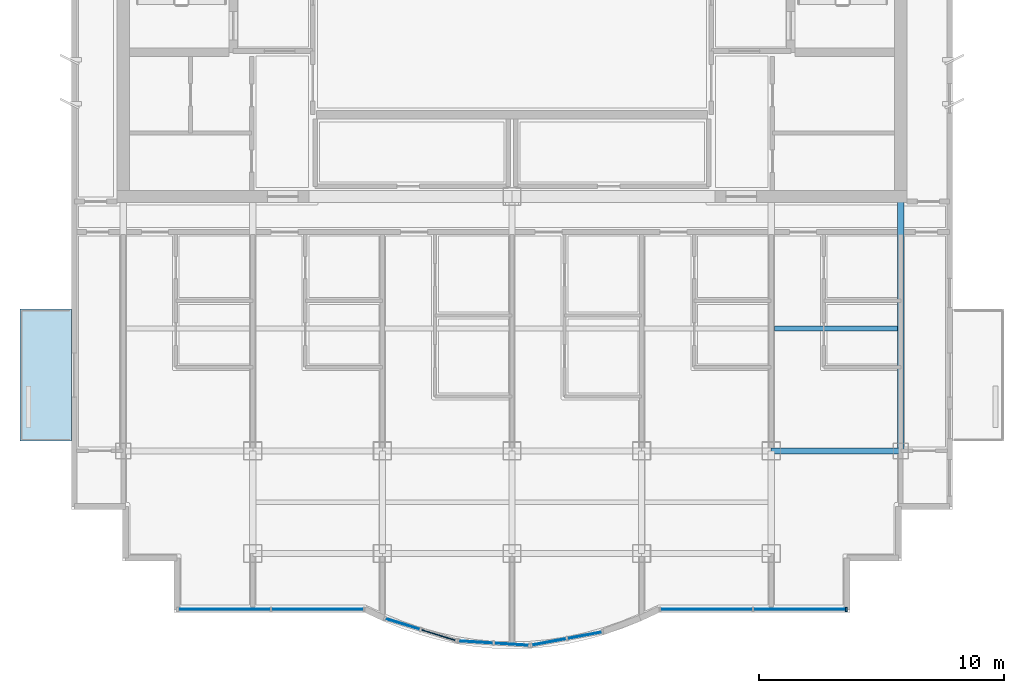
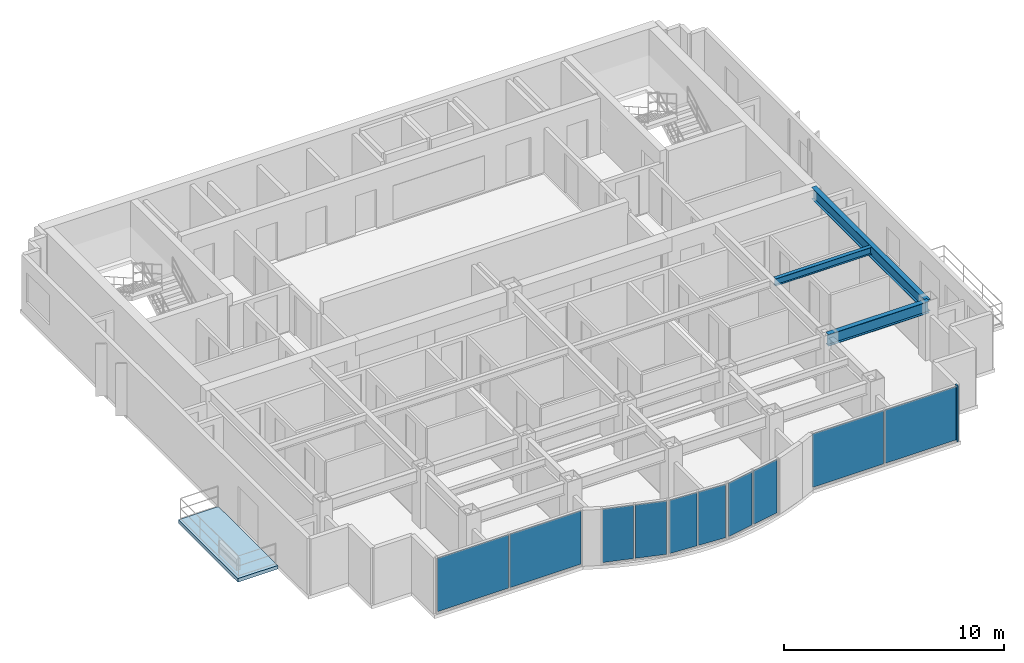
# One storey, part 2 of 9: 10 plates, 3 beams, 1 member, 1 slab, 5 elements without a shape of their own.
"""IFC4 building model written with IfcOpenShell, lengths in metres."""

from ifc_helpers import new_model, si_unit, direction, frame, origin, origin_2d, place, context, subcontext, project, spatial, polyline, rectangle, i_section, outline, extrude, source, transform, mapped, material, layer, layer_set, material_profile, profile_set, type_object, element, aggregate, save


model = new_model("IFC4")

# Units and contexts
model_context = context("Model", 3, precision=1e-05, world=origin(), true_north=direction((0.0, 1.0)))
body_context = subcontext(model_context, "Body", "Model", "MODEL_VIEW")
ifc_project = project(units=[si_unit("LENGTHUNIT", "METRE"), si_unit("AREAUNIT", "SQUARE_METRE"), si_unit("VOLUMEUNIT", "CUBIC_METRE"), si_unit("PLANEANGLEUNIT", "RADIAN"), si_unit("MASSUNIT", "GRAM", prefix="KILO")], contexts=[model_context])

# Site, building, storey
site_placement = place(None, origin())
site = spatial("IfcSite", under=ifc_project, at=site_placement, CompositionType="ELEMENT")
building_placement = place(site_placement, origin())
building = spatial("IfcBuilding", under=site, at=building_placement, Name="Qianlan Lanfeng Residences", CompositionType="ELEMENT")
storey_placement = place(building_placement, frame((0.0, 0.0, 233.0)))
storey = spatial("IfcBuildingStorey", under=building, at=storey_placement, Name="L64", CompositionType="ELEMENT", Elevation=233.0)

# Beams
ifc_material_1 = material(Name="Steel SN490B", Category="steel")
ifc_material_profile_1 = material_profile(ifc_material_1, i_section(OverallWidth=0.25, OverallDepth=0.64990234375, WebThickness=0.012939453125, FlangeThickness=0.02197265625, at=origin_2d()), Name="H 650x250x13x22")
ifc_profile_set_1 = profile_set([ifc_material_profile_1], Name="Steel SN490B")
beam_type_1 = type_object("IfcBeamType", Name="G-650", PredefinedType="BEAM", material=ifc_profile_set_1)
beam_1_placement = place(storey_placement, frame((37.10009765625, 14.800048828125, 2.784912109375), z_axis=(1.0, 0.0, 0.0), x_axis=(0.0, 1.0, 0.0)))
element("IfcBeam", 1, at=beam_1_placement, inside=storey, type_object=beam_type_1, Name="Structural beam G-650", PredefinedType="BEAM", context=body_context, shape_type="SweptSolid", body=[
    extrude(i_section(OverallWidth=0.25, OverallDepth=0.64990234375, WebThickness=0.012939453125, FlangeThickness=0.02197265625, at=origin_2d()), origin(), (0.0, 0.0, 1.0), 5.2998046875),
])
beam_2_placement = place(storey_placement, frame((42.39990234375, 14.800048828125, 2.784912109375), z_axis=(0.0, 1.0, 0.0), x_axis=(-1.0, 0.0, 0.0)))
element("IfcBeam", 2, at=beam_2_placement, inside=storey, type_object=beam_type_1, Name="Structural beam G-650", PredefinedType="BEAM", context=body_context, shape_type="SweptSolid", body=[
    extrude(i_section(OverallWidth=0.25, OverallDepth=0.64990234375, WebThickness=0.012939453125, FlangeThickness=0.02197265625, at=origin_2d()), origin(), (0.0, 0.0, 1.0), 10.39990234375),
])
ifc_material_profile_2 = material_profile(ifc_material_1, i_section(OverallWidth=0.199951171875, OverallDepth=0.39990234375, WebThickness=0.008056640625, FlangeThickness=0.012939453125, at=origin_2d()), Name="H 400x200x8x13")
ifc_profile_set_2 = profile_set([ifc_material_profile_2], Name="Steel SN490B")
beam_type_2 = type_object("IfcBeamType", Name="J-400", PredefinedType="JOIST", material=ifc_profile_set_2)
beam_3_placement = place(storey_placement, frame((37.22509765625, 19.800048828125, 2.909912109375), z_axis=(1.0, 0.0, 0.0), x_axis=(0.0, 1.0, 0.0)))
element("IfcBeam", 3, at=beam_3_placement, inside=storey, type_object=beam_type_2, Name="Structural beam J-400", PredefinedType="JOIST", context=body_context, shape_type="SweptSolid", body=[
    extrude(i_section(OverallWidth=0.199951171875, OverallDepth=0.39990234375, WebThickness=0.008056640625, FlangeThickness=0.012939453125, at=origin_2d()), origin(), (0.0, 0.0, 1.0), 5.0498046875),
])

# Curtain wall, member
ifc_material_2 = material(Name="Anodised Bronze Aluminium 6063-T6", Category="aluminium")
ifc_layer_1 = layer(ifc_material_2, 0.219970703125)
ifc_layer_set_1 = layer_set([ifc_layer_1], Name="Anodised Bronze Aluminium 6063-T6")
curtain_wall_type = type_object("IfcCurtainWallType", Name="CW-06", PredefinedType="NOTDEFINED", material=ifc_layer_set_1)
curtain_wall_1_placement = place(storey_placement, origin())
curtain_wall_1 = element("IfcCurtainWall", 4, at=curtain_wall_1_placement, inside=storey, type_object=curtain_wall_type, Name="L64 Unitised Curtain Wall CWR-L64-05 (CW-06)", PredefinedType="NOTDEFINED")
ifc_material_profile_3 = material_profile(ifc_material_2, rectangle(XDim=0.074951171875, YDim=0.179931640625, at=origin_2d()), Name="ALU MULLION 75x180")
ifc_profile_set_3 = profile_set([ifc_material_profile_3], Name="Anodised Bronze Aluminium 6063-T6")
member_type = type_object("IfcMemberType", Name="CWM-180", PredefinedType="MULLION", material=ifc_profile_set_3)
shared_shape_1 = source(origin(), body_context, "Body", "SweptSolid", [
    extrude(rectangle(XDim=0.074951171875, YDim=0.179931640625, at=origin_2d()), origin(), (0.0, 0.0, 1.0), 3.110107421875),
])
member_placement = place(storey_placement, frame((40.16259765625, 8.320068359375, 0.0), z_axis=(0.0, 0.0, 1.0), x_axis=(1.0, 0.0, 0.0)))
member = element("IfcMember", 5, at=member_placement, type_object=member_type, Name="CWR-L64-05 Mullion 3", PredefinedType="MULLION", context=body_context, shape_type="MappedRepresentation", body=[
    mapped(shared_shape_1, transform((0.0, 0.0, 0.0), scale=1.0)),
])

# Slab
ifc_material_3 = material(Name="Concrete C42", Category="concrete")
ifc_layer_2 = layer(ifc_material_3, 0.199951171875)
ifc_layer_set_2 = layer_set([ifc_layer_2], Name="Concrete C42")
slab_type = type_object("IfcSlabType", Name="S-BAL-200", PredefinedType="FLOOR", material=ifc_layer_set_2)
slab_placement = place(storey_placement, frame((0.0, 0.0, -0.199951171875)))
element("IfcSlab", 6, at=slab_placement, inside=storey, type_object=slab_type, Name="L64 Planted Tree Balcony Slab WB-S", PredefinedType="FLOOR", context=body_context, shape_type="SweptSolid", body=[
    extrude(outline(polyline([(8.47998046875, 15.199951171875), (8.47998046875, 20.60009765625), (6.3798828125, 20.60009765625), (6.3798828125, 15.199951171875), (8.47998046875, 15.199951171875)])), origin(), (0.0, 0.0, 1.0), 0.199951171875),
])

# Curtain wall, plates
curtain_wall_2_placement = place(storey_placement, origin())
curtain_wall_2 = element("IfcCurtainWall", 7, at=curtain_wall_2_placement, inside=storey, type_object=curtain_wall_type, Name="L64 Unitised Curtain Wall CWR-L64-01 (CW-06)", PredefinedType="NOTDEFINED")
ifc_material_4 = material(Name="Dark Bronze Tinted Insulated Glass", Category="glass")
ifc_layer_3 = layer(ifc_material_4, 0.0380859375)
ifc_layer_set_3 = layer_set([ifc_layer_3], Name="Dark Bronze Tinted Insulated Glass")
plate_type_1 = type_object("IfcPlateType", Name="PNL-GLZ-BRZ", PredefinedType="CURTAIN_PANEL", material=ifc_layer_set_3)
shared_shape_2 = source(origin(), body_context, "Body", "SweptSolid", [
    extrude(rectangle(XDim=3.73291015625, YDim=0.0380859375, at=origin_2d()), origin(), (0.0, 0.0, 1.0), 2.9619140625),
])
plate_1_placement = place(storey_placement, frame((14.740478515625, 8.320068359375, 0.073974609375), z_axis=(0.0, 0.0, 1.0), x_axis=(1.0, 0.0, 0.0)))
plate_1 = element("IfcPlate", 8, at=plate_1_placement, type_object=plate_type_1, Name="CWR-L64-01 Curtain Panel 1", PredefinedType="CURTAIN_PANEL", context=body_context, shape_type="MappedRepresentation", body=[
    mapped(shared_shape_2, transform((0.0, 0.0, 0.0), scale=1.0)),
])
plate_2_placement = place(storey_placement, frame((18.54638671875, 8.320068359375, 0.073974609375), z_axis=(0.0, 0.0, 1.0), x_axis=(1.0, 0.0, 0.0)))
plate_2 = element("IfcPlate", 9, at=plate_2_placement, type_object=plate_type_1, Name="CWR-L64-01 Curtain Panel 2", PredefinedType="CURTAIN_PANEL", context=body_context, shape_type="MappedRepresentation", body=[
    mapped(shared_shape_2, transform((0.0, 0.0, 0.0), scale=1.0)),
])
aggregate(curtain_wall_2, [plate_1, plate_2])

# Plate
plate_3_placement = place(storey_placement, frame((34.45361328125, 8.320068359375, 0.073974609375), z_axis=(0.0, 0.0, 1.0), x_axis=(1.0, 0.0, 0.0)))
plate_3 = element("IfcPlate", 10, at=plate_3_placement, type_object=plate_type_1, Name="CWR-L64-05 Curtain Panel 1", PredefinedType="CURTAIN_PANEL", context=body_context, shape_type="MappedRepresentation", body=[
    mapped(shared_shape_2, transform((0.0, 0.0, 0.0), scale=1.0)),
])

plate_4_placement = place(storey_placement, frame((38.259521484375, 8.320068359375, 0.073974609375), z_axis=(0.0, 0.0, 1.0), x_axis=(1.0, 0.0, 0.0)))
plate_4 = element("IfcPlate", 11, at=plate_4_placement, type_object=plate_type_1, Name="CWR-L64-05 Curtain Panel 2", PredefinedType="CURTAIN_PANEL", context=body_context, shape_type="MappedRepresentation", body=[
    mapped(shared_shape_2, transform((0.0, 0.0, 0.0), scale=1.0)),
])

aggregate(curtain_wall_1, [member, plate_3, plate_4])

# Curtain wall, plates
curtain_wall_3_placement = place(storey_placement, origin())
curtain_wall_3 = element("IfcCurtainWall", 12, at=curtain_wall_3_placement, inside=storey, type_object=curtain_wall_type, Name="L64 Unitised Curtain Wall CWR-L64-02 (CW-06)", PredefinedType="NOTDEFINED")
shared_shape_3 = source(origin(), body_context, "Body", "SweptSolid", [
    extrude(rectangle(XDim=1.456787109375, YDim=0.0380859375, at=origin_2d()), origin(), (0.0, 0.0, 1.0), 2.9619140625),
])
plate_5_placement = place(storey_placement, frame((22.029296875, 7.72021484375, 0.073974609375), z_axis=(0.0, 0.0, 1.0), x_axis=(0.955079962155, -0.296348217287, 0.0)))
plate_5 = element("IfcPlate", 13, at=plate_5_placement, type_object=plate_type_1, Name="CWR-L64-02 Curtain Panel 1", PredefinedType="CURTAIN_PANEL", context=body_context, shape_type="MappedRepresentation", body=[
    mapped(shared_shape_3, transform((0.0, 0.0, 0.0), scale=1.0)),
])
ifc_material_5 = material(Name="Perforated Champagne Gold Aluminium Panel", Category="aluminium")
ifc_layer_4 = layer(ifc_material_5, 0.0400390625)
ifc_layer_set_4 = layer_set([ifc_layer_4], Name="Perforated Champagne Gold Aluminium Panel")
plate_type_2 = type_object("IfcPlateType", Name="PNL-PRF-GLD", PredefinedType="CURTAIN_PANEL", material=ifc_layer_set_4)
shared_shape_4 = source(origin(), body_context, "Body", "SweptSolid", [
    extrude(rectangle(XDim=1.456787109375, YDim=0.0400390625, at=origin_2d()), origin(), (0.0, 0.0, 1.0), 2.9619140625),
])
plate_6_placement = place(storey_placement, frame((23.490478515625, 7.266845703125, 0.073974609375), z_axis=(0.0, 0.0, 1.0), x_axis=(0.955079962155, -0.296348217287, 0.0)))
plate_6 = element("IfcPlate", 14, at=plate_6_placement, type_object=plate_type_2, Name="CWR-L64-02 Curtain Panel 2", PredefinedType="CURTAIN_PANEL", context=body_context, shape_type="MappedRepresentation", body=[
    mapped(shared_shape_4, transform((0.0, 0.0, 0.0), scale=1.0)),
])
aggregate(curtain_wall_3, [plate_5, plate_6])

curtain_wall_4_placement = place(storey_placement, origin())
curtain_wall_4 = element("IfcCurtainWall", 15, at=curtain_wall_4_placement, inside=storey, type_object=curtain_wall_type, Name="L64 Unitised Curtain Wall CWR-L64-03 (CW-06)", PredefinedType="NOTDEFINED")
shared_shape_5 = source(origin(), body_context, "Body", "SweptSolid", [
    extrude(rectangle(XDim=1.387939453125, YDim=0.0380859375, at=origin_2d()), origin(), (0.0, 0.0, 1.0), 2.9619140625),
])
plate_7_placement = place(storey_placement, frame((25.0234375, 6.981201171875, 0.073974609375), z_axis=(0.0, 0.0, 1.0), x_axis=(0.998072054859, -0.062065878781, 0.0)))
plate_7 = element("IfcPlate", 16, at=plate_7_placement, type_object=plate_type_1, Name="CWR-L64-03 Curtain Panel 1", PredefinedType="CURTAIN_PANEL", context=body_context, shape_type="MappedRepresentation", body=[
    mapped(shared_shape_5, transform((0.0, 0.0, 0.0), scale=1.0)),
])
plate_8_placement = place(storey_placement, frame((26.481689453125, 6.890625, 0.073974609375), z_axis=(0.0, 0.0, 1.0), x_axis=(0.998072054859, -0.062065878781, 0.0)))
plate_8 = element("IfcPlate", 17, at=plate_8_placement, type_object=plate_type_1, Name="CWR-L64-03 Curtain Panel 2", PredefinedType="CURTAIN_PANEL", context=body_context, shape_type="MappedRepresentation", body=[
    mapped(shared_shape_5, transform((0.0, 0.0, 0.0), scale=1.0)),
])
aggregate(curtain_wall_4, [plate_7, plate_8])

curtain_wall_5_placement = place(storey_placement, origin())
curtain_wall_5 = element("IfcCurtainWall", 18, at=curtain_wall_5_placement, inside=storey, type_object=curtain_wall_type, Name="L64 Unitised Curtain Wall CWR-L64-04 (CW-06)", PredefinedType="NOTDEFINED")
shared_shape_6 = source(origin(), body_context, "Body", "SweptSolid", [
    extrude(rectangle(XDim=1.410888671875, YDim=0.0380859375, at=origin_2d()), origin(), (0.0, 0.0, 1.0), 2.9619140625),
])
plate_9_placement = place(storey_placement, frame((28.01416015625, 6.98583984375, 0.073974609375), z_axis=(0.0, 0.0, 1.0), x_axis=(0.983039214023, 0.183395484386, 0.0)))
plate_9 = element("IfcPlate", 19, at=plate_9_placement, type_object=plate_type_1, Name="CWR-L64-04 Curtain Panel 1", PredefinedType="CURTAIN_PANEL", context=body_context, shape_type="MappedRepresentation", body=[
    mapped(shared_shape_6, transform((0.0, 0.0, 0.0), scale=1.0)),
])
shared_shape_7 = source(origin(), body_context, "Body", "SweptSolid", [
    extrude(rectangle(XDim=1.410888671875, YDim=0.0400390625, at=origin_2d()), origin(), (0.0, 0.0, 1.0), 2.9619140625),
])
plate_10_placement = place(storey_placement, frame((29.472900390625, 7.258056640625, 0.073974609375), z_axis=(0.0, 0.0, 1.0), x_axis=(0.983039214023, 0.183395484386, 0.0)))
plate_10 = element("IfcPlate", 20, at=plate_10_placement, type_object=plate_type_2, Name="CWR-L64-04 Curtain Panel 2", PredefinedType="CURTAIN_PANEL", context=body_context, shape_type="MappedRepresentation", body=[
    mapped(shared_shape_7, transform((0.0, 0.0, 0.0), scale=1.0)),
])
aggregate(curtain_wall_5, [plate_9, plate_10])

save(model, "model.ifc")
